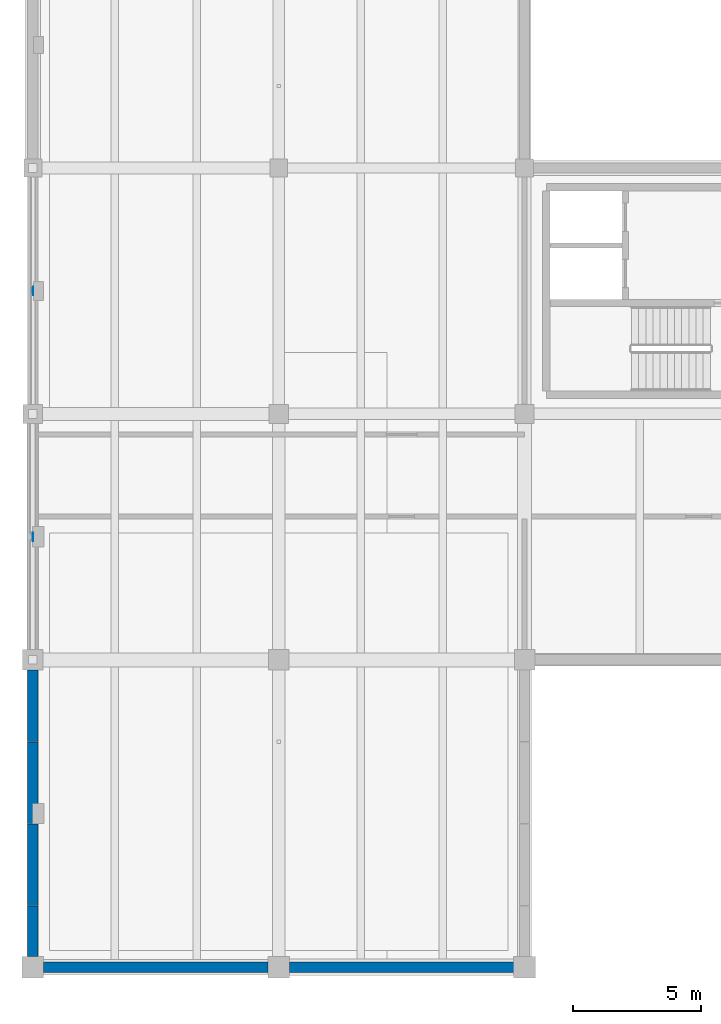
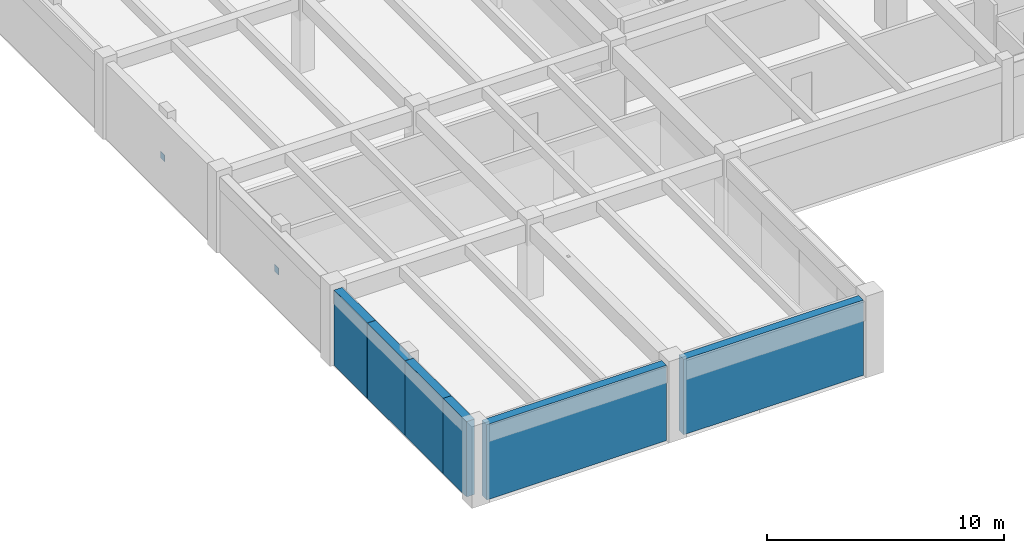
# One storey, part 8 of 28: 6 walls, 2 plates.
"""IFC4 building model written with IfcOpenShell, lengths in metres."""

from ifc_helpers import new_model, si_unit, direction, frame, frame_2d, origin, origin_2d, place, context, subcontext, project, spatial, rectangle, extrude, material, layer, layer_set, type_object, element, save


model = new_model("IFC4")

# Units and contexts
model_context = context("Model", 3, precision=1e-05, world=origin(), true_north=direction((0.0, 1.0)))
body_context = subcontext(model_context, "Body", "Model", "MODEL_VIEW")
ifc_project = project(units=[si_unit("LENGTHUNIT", "METRE"), si_unit("AREAUNIT", "SQUARE_METRE"), si_unit("VOLUMEUNIT", "CUBIC_METRE"), si_unit("PLANEANGLEUNIT", "RADIAN"), si_unit("MASSUNIT", "GRAM", prefix="KILO")], contexts=[model_context])

# Site, building, storey
site_placement = place(None, origin())
site = spatial("IfcSite", under=ifc_project, at=site_placement, CompositionType="ELEMENT")
building_placement = place(site_placement, origin())
building = spatial("IfcBuilding", under=site, at=building_placement, Name="Fikremerkos Civic Library", CompositionType="ELEMENT")
storey_placement = place(building_placement, frame((0.0, 0.0, -4.199951171875)))
storey = spatial("IfcBuildingStorey", under=building, at=storey_placement, Name="B01", CompositionType="ELEMENT", Elevation=-4.199951171875)

# Plates
ifc_material_1 = material(Name="Steel S355", Category="steel")
ifc_layer_1 = layer(ifc_material_1, 0.02001953125, Name="Steel S355")
ifc_layer_set_1 = layer_set([ifc_layer_1], Name="Steel S355")
plate_type = type_object("IfcPlateType", Name="Steel gusset cap plate GSP-03 340x340x20", PredefinedType="USERDEFINED", material=ifc_layer_set_1)
for number, where, z_axis, x_axis, name in (
    (1, (0.0, 16.800048828125, 1.544921875), (0.0, 0.0, 1.0), (1.0, 0.0, 0.0), "Steel gusset cap plate GSP-03 #58"),
    (2, (0.0, 26.39990234375, 1.544921875), (0.0, 0.0, 1.0), (1.0, 0.0, 0.0), "Steel gusset cap plate GSP-03 #59"),
):
    element("IfcPlate", number, at=place(storey_placement, frame(where, z_axis=z_axis, x_axis=x_axis)), inside=storey, type_object=plate_type, Name=name, ObjectType="GUSSET PLATE", PredefinedType="USERDEFINED", context=body_context, shape_type="SweptSolid", body=[
        extrude(rectangle(XDim=0.02001953125, YDim=0.340087890625, at=origin_2d()), origin(), (0.0, 0.0, 1.0), 0.340087890625),
    ])

# Walls
ifc_material_2 = material(Name="Concrete C40/50", Category="concrete")
ifc_layer_2 = layer(ifc_material_2, 0.39990234375, Name="Concrete C40/50")
ifc_layer_set_2 = layer_set([ifc_layer_2], Name="Concrete C40/50")
wall_type = type_object("IfcWallType", Name="Basement retaining wall BRW-02 400", PredefinedType="USERDEFINED", material=ifc_layer_set_2)
wall_1_placement = place(storey_placement, frame((18.777099609375, 0.0, 0.0), z_axis=(0.0, 0.0, 1.0), x_axis=(-1.0, 0.0, 0.0)))
element("IfcWall", 3, at=wall_1_placement, inside=storey, type_object=wall_type, Name="Basement retaining wall BRW-02 B01 #83", ObjectType="RETAINING WALL", PredefinedType="USERDEFINED", context=body_context, shape_type="SweptSolid", body=[
    extrude(rectangle(XDim=8.754150390625, YDim=0.39990234375, at=frame_2d((4.376953125, 0.0))), origin(), (0.0, 0.0, 1.0), 3.8798828125),
])
wall_2_placement = place(storey_placement, frame((9.177001953125, 0.0, 0.0), z_axis=(0.0, 0.0, 1.0), x_axis=(-1.0, 0.0, 0.0)))
element("IfcWall", 4, at=wall_2_placement, inside=storey, type_object=wall_type, Name="Basement retaining wall BRW-02 B01 #84", ObjectType="RETAINING WALL", PredefinedType="USERDEFINED", context=body_context, shape_type="SweptSolid", body=[
    extrude(rectangle(XDim=8.75390625, YDim=0.39990234375, at=frame_2d((4.376953125, 0.0))), origin(), (0.0, 0.0, 1.0), 3.8798828125),
])
wall_3_placement = place(storey_placement, frame((0.0, 0.423095703125, 0.0), z_axis=(0.0, 0.0, 1.0), x_axis=(0.0, 1.0, 0.0)))
element("IfcWall", 5, at=wall_3_placement, inside=storey, type_object=wall_type, Name="Basement retaining wall BRW-02 B01 #85", ObjectType="RETAINING WALL", PredefinedType="USERDEFINED", context=body_context, shape_type="SweptSolid", body=[
    extrude(rectangle(XDim=1.974853515625, YDim=0.39990234375, at=frame_2d((0.9873046875, 0.0))), origin(), (0.0, 0.0, 1.0), 3.8798828125),
])
wall_4_placement = place(storey_placement, frame((0.0, 2.402099609375, 0.0), z_axis=(0.0, 0.0, 1.0), x_axis=(0.0, 1.0, 0.0)))
element("IfcWall", 6, at=wall_4_placement, inside=storey, type_object=wall_type, Name="Basement retaining wall BRW-02 B01 #86", ObjectType="RETAINING WALL", PredefinedType="USERDEFINED", context=body_context, shape_type="SweptSolid", body=[
    extrude(rectangle(XDim=3.19580078125, YDim=0.39990234375, at=frame_2d((1.597900390625, 0.0))), origin(), (0.0, 0.0, 1.0), 3.8798828125),
])
wall_5_placement = place(storey_placement, frame((0.0, 5.60205078125, 0.0), z_axis=(0.0, 0.0, 1.0), x_axis=(0.0, 1.0, 0.0)))
element("IfcWall", 7, at=wall_5_placement, inside=storey, type_object=wall_type, Name="Basement retaining wall BRW-02 B01 #87", ObjectType="RETAINING WALL", PredefinedType="USERDEFINED", context=body_context, shape_type="SweptSolid", body=[
    extrude(rectangle(XDim=3.196044921875, YDim=0.39990234375, at=frame_2d((1.59814453125, 0.0))), origin(), (0.0, 0.0, 1.0), 3.8798828125),
])
wall_6_placement = place(storey_placement, frame((0.0, 8.802001953125, 0.0), z_axis=(0.0, 0.0, 1.0), x_axis=(0.0, 1.0, 0.0)))
element("IfcWall", 8, at=wall_6_placement, inside=storey, type_object=wall_type, Name="Basement retaining wall BRW-02 B01 #88", ObjectType="RETAINING WALL", PredefinedType="USERDEFINED", context=body_context, shape_type="SweptSolid", body=[
    extrude(rectangle(XDim=2.800048828125, YDim=0.39990234375, at=frame_2d((1.39990234375, 0.0))), origin(), (0.0, 0.0, 1.0), 3.8798828125),
])

save(model, "model.ifc")
